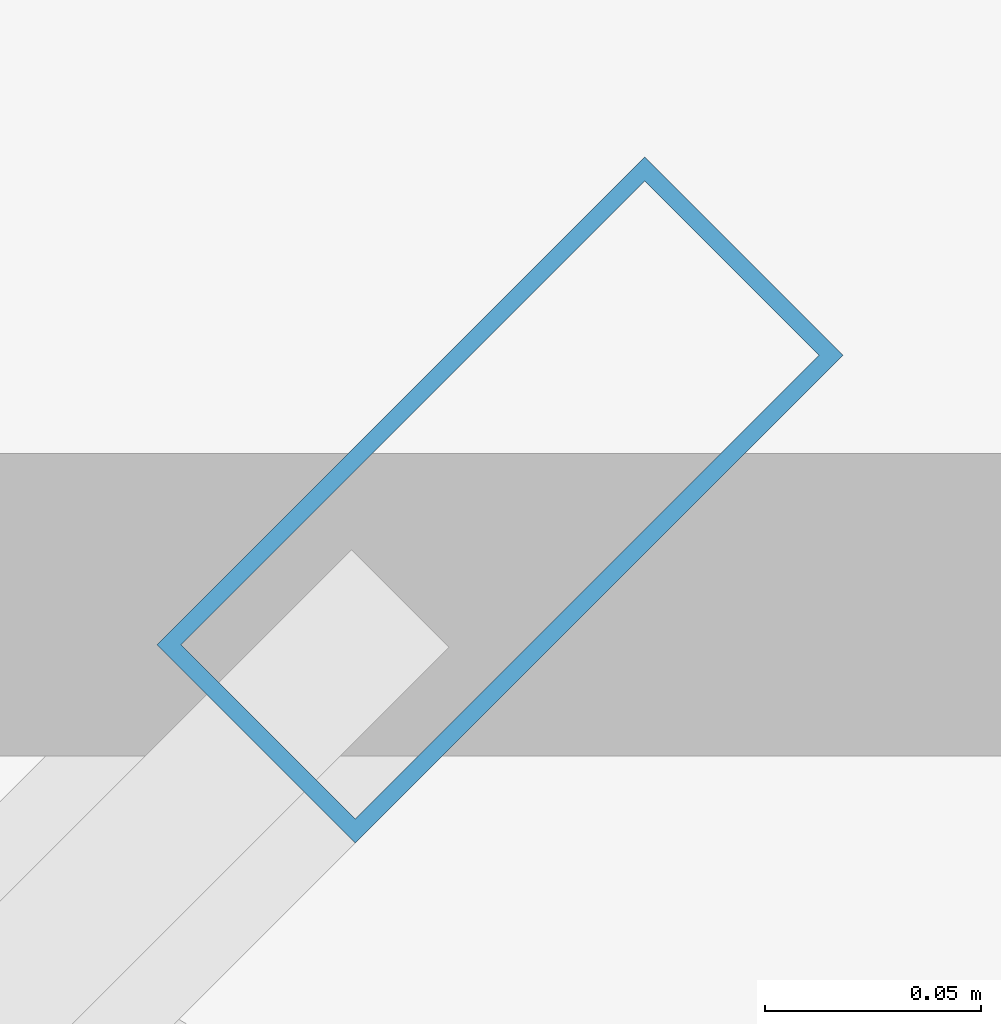
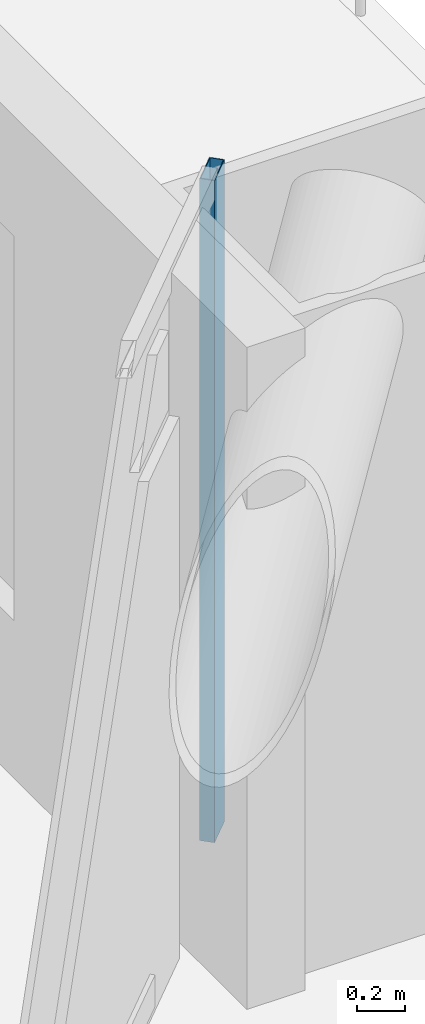
# One storey, part 15 of 34: 1 member, 1 element without a shape of its own.
"""IFC4 building model written with IfcOpenShell, lengths in metres."""

from ifc_helpers import new_model, si_unit, direction, frame, origin, origin_2d, place, context, subcontext, project, spatial, hollow_rectangle, extrude, material, layer, layer_set, material_profile, profile_set, type_object, element, aggregate, save


model = new_model("IFC4")

# Units and contexts
model_context = context("Model", 3, precision=1e-05, world=origin(), true_north=direction((0.0, 1.0)))
body_context = subcontext(model_context, "Body", "Model", "MODEL_VIEW")
ifc_project = project(units=[si_unit("LENGTHUNIT", "METRE"), si_unit("AREAUNIT", "SQUARE_METRE"), si_unit("VOLUMEUNIT", "CUBIC_METRE"), si_unit("PLANEANGLEUNIT", "RADIAN"), si_unit("MASSUNIT", "GRAM", prefix="KILO")], contexts=[model_context])

# Site, building, storey
site_placement = place(None, origin())
site = spatial("IfcSite", under=ifc_project, at=site_placement, CompositionType="ELEMENT")
building_placement = place(site_placement, origin())
building = spatial("IfcBuilding", under=site, at=building_placement, Name="Caelvoria Tower", CompositionType="ELEMENT")
storey_placement = place(building_placement, frame((0.0, 0.0, 28.0)))
storey = spatial("IfcBuildingStorey", under=building, at=storey_placement, Name="L06", CompositionType="ELEMENT", Elevation=28.0)

# Curtain wall, member
ifc_material_1 = material(Name="Anodised Bronze Aluminium and Low-E Glass", Category="aluminium")
ifc_layer = layer(ifc_material_1, 0.18505859375, Name="Anodised Bronze Aluminium and Low-E Glass")
ifc_layer_set = layer_set([ifc_layer], Name="CW System 2 Lower Tower Bronze Unitised Facade - Anodised Bronze Aluminium and Low-E Glass")
curtain_wall_type = type_object("IfcCurtainWallType", Name="CW System 2 Lower Tower Bronze Unitised Facade", PredefinedType="NOTDEFINED", material=ifc_layer_set)
curtain_wall_placement = place(storey_placement, origin())
curtain_wall = element("IfcCurtainWall", 1, at=curtain_wall_placement, inside=storey, type_object=curtain_wall_type, Name="CW-02 Curtain Wall L06-E1", PredefinedType="NOTDEFINED")
ifc_material_2 = material(Name="Anodised Bronze Architectural Aluminium", Category="aluminium")
ifc_material_profile = material_profile(ifc_material_2, hollow_rectangle(XDim=0.06494140625, YDim=0.159912109375, WallThickness=0.00390625, at=origin_2d()), Name="Anodised Bronze Architectural Aluminium")
ifc_profile_set = profile_set([ifc_material_profile], Name="CW_MULL_65X160 - Anodised Bronze Architectural Aluminium")
member_type = type_object("IfcMemberType", Name="Curtain Wall Mullion 65x160 Bronze Aluminium", PredefinedType="MULLION", material=ifc_profile_set)
member_placement = place(storey_placement, frame((69.80126953125, 15.552734375, 0.0), z_axis=(0.0, 0.0, 1.0), x_axis=(-0.707106781187, 0.707106781187, 0.0)))
member = element("IfcMember", 2, at=member_placement, type_object=member_type, Name="CW-02 mullion 3", PredefinedType="MULLION", context=body_context, shape_type="SweptSolid", body=[
    extrude(hollow_rectangle(XDim=0.06494140625, YDim=0.159912109375, WallThickness=0.00390625, at=origin_2d()), origin(), (0.0, 0.0, 1.0), 3.360107421875),
])
aggregate(curtain_wall, [member])

save(model, "model.ifc")
